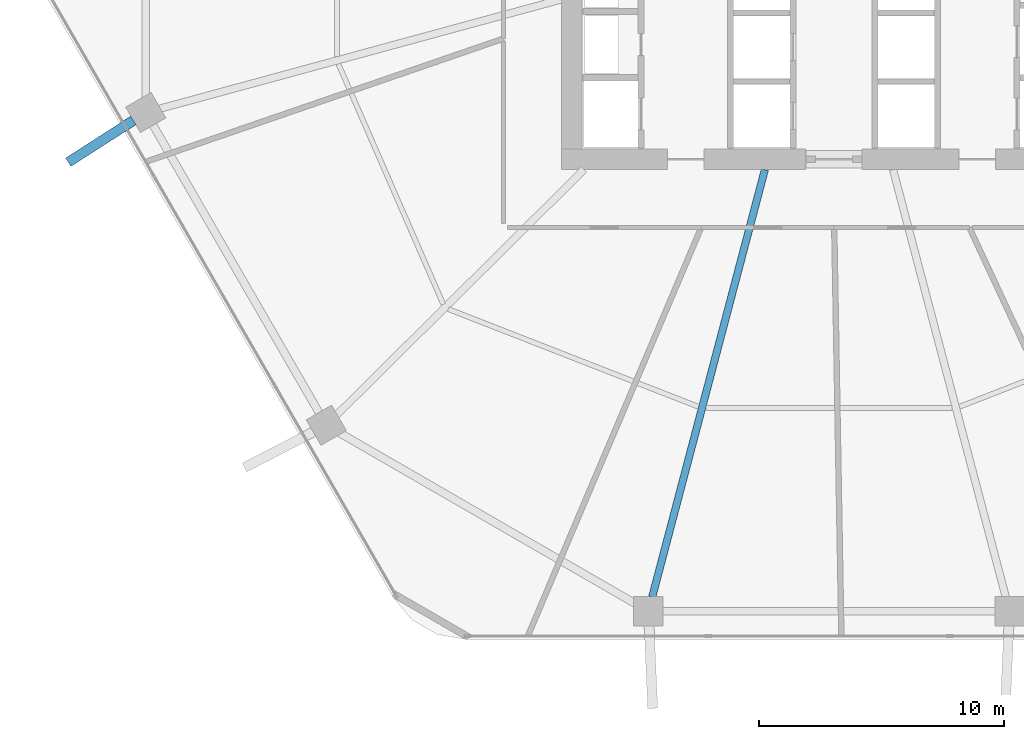
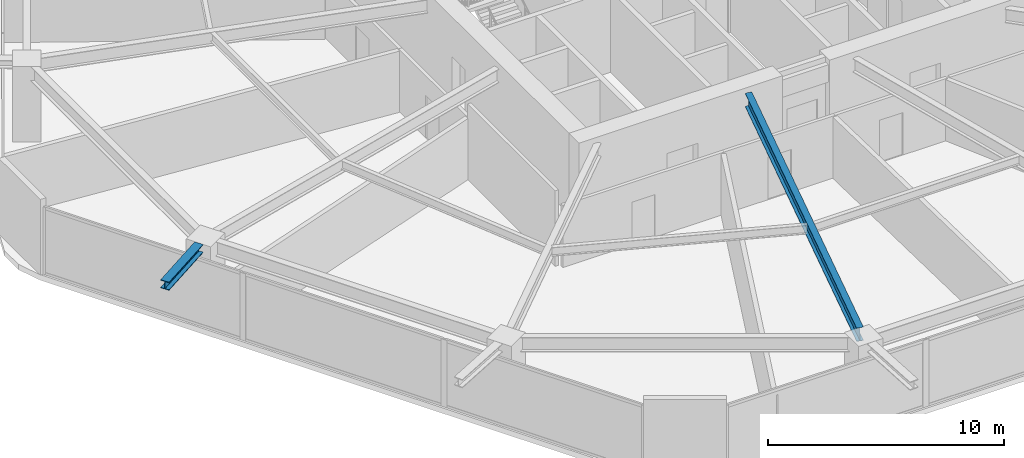
# One storey, part 4 of 25: 2 beams.
"""IFC4 building model written with IfcOpenShell, lengths in metres."""

from ifc_helpers import new_model, si_unit, direction, frame, origin, origin_2d, place, context, subcontext, project, spatial, i_section, extrude, material, material_profile, profile_set, type_object, element, save


model = new_model("IFC4")

# Units and contexts
model_context = context("Model", 3, precision=1e-05, world=origin(), true_north=direction((0.0, 1.0)))
body_context = subcontext(model_context, "Body", "Model", "MODEL_VIEW")
ifc_project = project(units=[si_unit("LENGTHUNIT", "METRE"), si_unit("AREAUNIT", "SQUARE_METRE"), si_unit("VOLUMEUNIT", "CUBIC_METRE"), si_unit("PLANEANGLEUNIT", "RADIAN"), si_unit("MASSUNIT", "GRAM", prefix="KILO")], contexts=[model_context])

# Site, building, storey
site_placement = place(None, origin())
site = spatial("IfcSite", under=ifc_project, at=site_placement, CompositionType="ELEMENT")
building_placement = place(site_placement, origin())
building = spatial("IfcBuilding", under=site, at=building_placement, Name="Zuhravey Tower", CompositionType="ELEMENT")
storey_placement = place(building_placement, frame((0.0, 0.0, 62.39990234375)))
storey = spatial("IfcBuildingStorey", under=building, at=storey_placement, Name="L15", CompositionType="ELEMENT", Elevation=62.39990234375)

# Beams
ifc_material_1 = material(Name="Steel SM460", Category="steel")
ifc_material_profile_1 = material_profile(ifc_material_1, i_section(OverallWidth=0.406982421875, OverallDepth=0.427978515625, WebThickness=0.02001953125, FlangeThickness=0.034912109375, at=origin_2d()), Name="H-428x407x20x35")
ifc_profile_set_1 = profile_set([ifc_material_profile_1], Name="Steel SM460")
beam_type_1 = type_object("IfcBeamType", Name="Exoskeleton Node Tie Beam H428x407", PredefinedType="BEAM", material=ifc_profile_set_1)
beam_1_placement = place(storey_placement, frame((7.60205078125, 24.08203125, 3.7060546875), z_axis=(-0.841731244747, -0.539896760147, 0.0), x_axis=(0.539896760147, -0.841731244747, 0.0)))
element("IfcBeam", 1, at=beam_1_placement, inside=storey, type_object=beam_type_1, Name="L15 Exoskeleton Node Tie NT1-07", PredefinedType="BEAM", context=body_context, shape_type="SweptSolid", body=[
    extrude(i_section(OverallWidth=0.406982421875, OverallDepth=0.427978515625, WebThickness=0.02001953125, FlangeThickness=0.034912109375, at=origin_2d()), origin(), (0.0, 0.0, 1.0), 3.154541015625),
])
ifc_material_2 = material(Name="Steel SM355", Category="steel")
ifc_material_profile_2 = material_profile(ifc_material_2, i_section(OverallWidth=0.300048828125, OverallDepth=0.699951171875, WebThickness=0.012939453125, FlangeThickness=0.02392578125, at=origin_2d()), Name="H-700x300x13x24")
ifc_profile_set_2 = profile_set([ifc_material_profile_2], Name="Steel SM355")
beam_type_2 = type_object("IfcBeamType", Name="Radial Primary Girder H700x300", PredefinedType="BEAM", material=ifc_profile_set_2)
beam_2_placement = place(storey_placement, frame((33.382080078125, 22.072021484375, 3.570068359375), z_axis=(-0.254989720435, -0.966943763862, 0.0), x_axis=(0.966943763862, -0.254989720435, 0.0)))
element("IfcBeam", 2, at=beam_2_placement, inside=storey, type_object=beam_type_2, Name="L15 RG1 BM-L15-RAD-09", PredefinedType="BEAM", context=body_context, shape_type="SweptSolid", body=[
    extrude(i_section(OverallWidth=0.300048828125, OverallDepth=0.699951171875, WebThickness=0.012939453125, FlangeThickness=0.02392578125, at=origin_2d()), origin(), (0.0, 0.0, 1.0), 18.03369140625),
])

save(model, "model.ifc")
